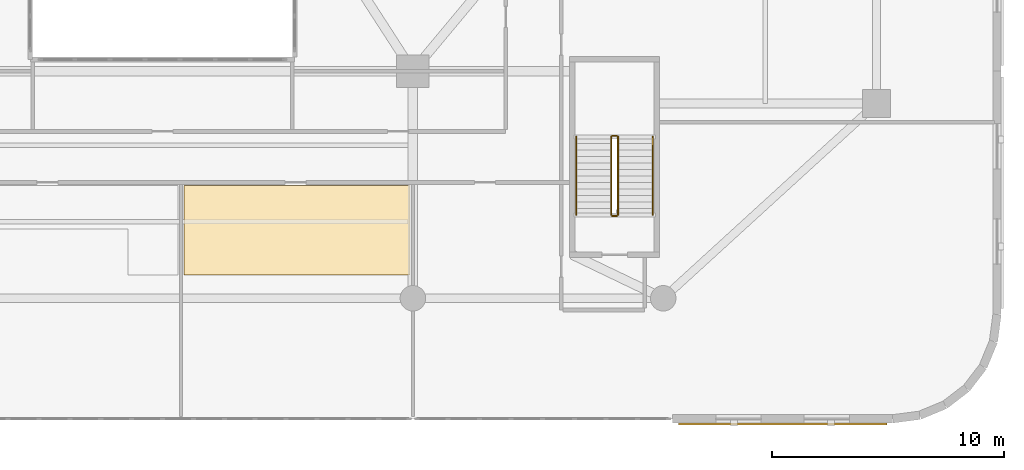
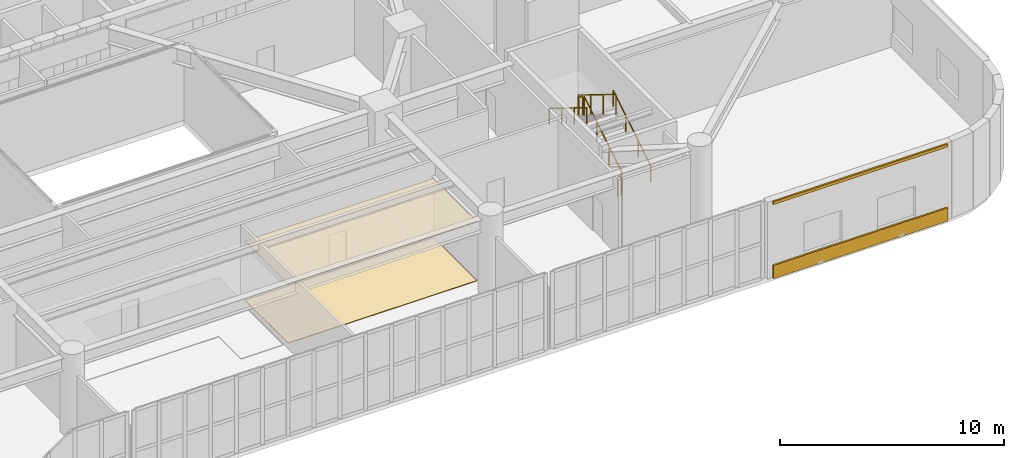
# One storey, part 21 of 25: 6 railings, 4 coverings.
"""IFC4 building model written with IfcOpenShell, lengths in metres."""

from ifc_helpers import new_model, si_unit, direction, frame, origin, origin_2d, place, context, subcontext, project, spatial, polyline, rectangle, outline, extrude, material, layer, layer_set, type_object, element, save


model = new_model("IFC4")

# Units and contexts
model_context = context("Model", 3, precision=1e-05, world=origin(), true_north=direction((0.0, 1.0)))
body_context = subcontext(model_context, "Body", "Model", "MODEL_VIEW")
ifc_project = project(units=[si_unit("LENGTHUNIT", "METRE"), si_unit("AREAUNIT", "SQUARE_METRE"), si_unit("VOLUMEUNIT", "CUBIC_METRE"), si_unit("PLANEANGLEUNIT", "RADIAN"), si_unit("MASSUNIT", "GRAM", prefix="KILO")], contexts=[model_context])

# Site, building, storey
site_placement = place(None, origin())
site = spatial("IfcSite", under=ifc_project, at=site_placement, CompositionType="ELEMENT")
building_placement = place(site_placement, origin())
building = spatial("IfcBuilding", under=site, at=building_placement, Name="Haldorwick Loom Tower", CompositionType="ELEMENT")
storey_placement = place(building_placement, frame((0.0, 0.0, 10.5)))
storey = spatial("IfcBuildingStorey", under=building, at=storey_placement, Name="L02", CompositionType="ELEMENT", Elevation=10.5)

# Coverings
ifc_material_1 = material(Name="Corbelled Pressed Clay Face Brick Veneer", Category="masonry")
ifc_layer_1 = layer(ifc_material_1, 0.090087890625, Name="Corbelled Pressed Clay Face Brick Veneer", Category="masonry")
ifc_layer_set_1 = layer_set([ifc_layer_1], Name="Corbelled Pressed Clay Face Brick Veneer")
covering_type_1 = type_object("IfcCoveringType", Name="ARC-COV-BRICK090", PredefinedType="CLADDING", material=ifc_layer_set_1)
covering_1_placement = place(storey_placement, origin())
element("IfcCovering", 1, at=covering_1_placement, inside=storey, type_object=covering_type_1, Name="L02 Sill Face-Brick Spandrel 42", PredefinedType="CLADDING", context=body_context, shape_type="SweptSolid", body=[
    extrude(outline(polyline([(58.25, -0.27001953125), (67.25, -0.27001953125), (67.25, -0.179931640625), (58.25, -0.179931640625), (58.25, -0.27001953125)])), origin(), (0.0, 0.0, 1.0), 0.719970703125),
])
covering_2_placement = place(storey_placement, frame((0.0, 0.0, 4.0400390625)))
element("IfcCovering", 2, at=covering_2_placement, inside=storey, type_object=covering_type_1, Name="L02 Head Face-Brick Lintel Band 42", PredefinedType="CLADDING", context=body_context, shape_type="SweptSolid", body=[
    extrude(outline(polyline([(58.25, -0.27001953125), (67.25, -0.27001953125), (67.25, -0.179931640625), (58.25, -0.179931640625), (58.25, -0.27001953125)])), origin(), (0.0, 0.0, 1.0), 0.159912109375),
])
ifc_material_2 = material(Name="Mineral Fibre Acoustic Ceiling Tile")
ifc_layer_2 = layer(ifc_material_2, 0.0400390625, Name="Mineral Fibre Acoustic Ceiling Tile")
ifc_layer_set_2 = layer_set([ifc_layer_2], Name="Mineral Fibre Acoustic Ceiling Tile")
covering_type_2 = type_object("IfcCoveringType", Name="ARC-COV-CEIL", PredefinedType="CEILING", material=ifc_layer_set_2)
covering_3_placement = place(storey_placement, frame((0.0, 0.0, 3.22509765625)))
element("IfcCovering", 3, at=covering_3_placement, inside=storey, type_object=covering_type_2, Name="L02 Acoustic Suspended Ceiling 2", PredefinedType="CEILING", context=body_context, shape_type="SweptSolid", body=[
    extrude(outline(polyline([(36.929931640625, 6.199951171875), (46.669921875, 6.199951171875), (46.669921875, 10.06005859375), (36.929931640625, 10.06005859375), (36.929931640625, 6.199951171875)])), origin(), (0.0, 0.0, 1.0), 0.039794921875),
])
ifc_material_3 = material(Name="Polished Aggregate Terrazzo Finish")
ifc_layer_3 = layer(ifc_material_3, 0.030029296875, Name="Polished Aggregate Terrazzo Finish")
ifc_layer_set_3 = layer_set([ifc_layer_3], Name="Polished Aggregate Terrazzo Finish")
covering_type_3 = type_object("IfcCoveringType", Name="ARC-COV-FLOOR", PredefinedType="FLOORING", material=ifc_layer_set_3)
covering_4_placement = place(storey_placement, origin())
element("IfcCovering", 4, at=covering_4_placement, inside=storey, type_object=covering_type_3, Name="L02 Floor Finish 2", PredefinedType="FLOORING", context=body_context, shape_type="SweptSolid", body=[
    extrude(outline(polyline([(36.929931640625, 6.199951171875), (46.669921875, 6.199951171875), (46.669921875, 10.06005859375), (36.929931640625, 10.06005859375), (36.929931640625, 6.199951171875)])), origin(), (0.0, 0.0, 1.0), 0.030029296875),
])

# Railings
ifc_material_4 = material(Name="Steel CSA G40.21 350W", Category="steel")
railing_type_1 = type_object("IfcRailingType", Name="ARC-RLG-GUARD112", PredefinedType="GUARDRAIL", material=ifc_material_4)
railing_1_placement = place(storey_placement, frame((55.64990234375, 8.800048828125, 0.173095703125)))
element("IfcRailing", 5, at=railing_1_placement, inside=storey, type_object=railing_type_1, Name="L02 ST-P2 stair guard 1", PredefinedType="GUARDRAIL", context=body_context, shape_type="SweptSolid", body=[
    extrude(rectangle(XDim=0.048095703125, YDim=0.048095703125, at=origin_2d()), frame((0.0, 0.0, 1.076171875), z_axis=(0.0, 0.850606129759, 0.525803396734), x_axis=(-1.0, 0.0, 0.0)), (0.0, 0.0, 1.0), 3.949951171875),
    extrude(rectangle(XDim=0.0419921875, YDim=0.0419921875, at=origin_2d()), origin(), (0.0, 0.0, 1.0), 1.052001953125),
    extrude(rectangle(XDim=0.0419921875, YDim=0.0419921875, at=origin_2d()), frame((0.0, 1.119873046875, 0.6923828125)), (0.0, 0.0, 1.0), 1.052001953125),
    extrude(rectangle(XDim=0.0419921875, YDim=0.0419921875, at=origin_2d()), frame((0.0, 2.239990234375, 1.384521484375)), (0.0, 0.0, 1.0), 1.052001953125),
    extrude(rectangle(XDim=0.0419921875, YDim=0.0419921875, at=origin_2d()), frame((0.0, 3.35986328125, 2.076904296875)), (0.0, 0.0, 1.0), 1.052001953125),
])
railing_2_placement = place(storey_placement, frame((55.60009765625, 12.2099609375, 2.25)))
element("IfcRailing", 6, at=railing_2_placement, inside=storey, type_object=railing_type_1, Name="L02 ST-P2 stair guard 2", PredefinedType="GUARDRAIL", context=body_context, shape_type="SweptSolid", body=[
    extrude(rectangle(XDim=0.048095703125, YDim=0.048095703125, at=origin_2d()), frame((0.0, 0.0, 1.076171875), z_axis=(-1.0, 0.0, 0.0), x_axis=(0.0, -1.0, 0.0)), (0.0, 0.0, 1.0), 0.2001953125),
    extrude(rectangle(XDim=0.0419921875, YDim=0.0419921875, at=origin_2d()), origin(), (0.0, 0.0, 1.0), 1.052001953125),
    extrude(rectangle(XDim=0.0419921875, YDim=0.0419921875, at=origin_2d()), frame((-0.2001953125, 0.0, 0.0)), (0.0, 0.0, 1.0), 1.052001953125),
])
railing_3_placement = place(storey_placement, frame((55.35009765625, 12.159912109375, 2.423095703125)))
element("IfcRailing", 7, at=railing_3_placement, inside=storey, type_object=railing_type_1, Name="L02 ST-P2 stair guard 3", PredefinedType="GUARDRAIL", context=body_context, shape_type="SweptSolid", body=[
    extrude(rectangle(XDim=0.048095703125, YDim=0.048095703125, at=origin_2d()), frame((0.0, 0.0, 1.076171875), z_axis=(0.0, -0.850606129759, 0.525803396734), x_axis=(1.0, 0.0, 0.0)), (0.0, 0.0, 1.0), 3.949951171875),
    extrude(rectangle(XDim=0.0419921875, YDim=0.0419921875, at=origin_2d()), origin(), (0.0, 0.0, 1.0), 1.052001953125),
    extrude(rectangle(XDim=0.0419921875, YDim=0.0419921875, at=origin_2d()), frame((0.0, -1.119873046875, 0.6923828125)), (0.0, 0.0, 1.0), 1.052001953125),
    extrude(rectangle(XDim=0.0419921875, YDim=0.0419921875, at=origin_2d()), frame((0.0, -2.239990234375, 1.384521484375)), (0.0, 0.0, 1.0), 1.052001953125),
    extrude(rectangle(XDim=0.0419921875, YDim=0.0419921875, at=origin_2d()), frame((0.0, -3.35986328125, 2.076904296875)), (0.0, 0.0, 1.0), 1.052001953125),
])
railing_4_placement = place(storey_placement, frame((55.60009765625, 8.75, 0.0)))
element("IfcRailing", 8, at=railing_4_placement, inside=storey, type_object=railing_type_1, Name="L02 ST-P2 stair guard 4", PredefinedType="GUARDRAIL", context=body_context, shape_type="SweptSolid", body=[
    extrude(rectangle(XDim=0.048095703125, YDim=0.048095703125, at=origin_2d()), frame((0.0, 0.0, 1.076171875), z_axis=(-1.0, 0.0, 0.0), x_axis=(0.0, -1.0, 0.0)), (0.0, 0.0, 1.0), 0.2001953125),
    extrude(rectangle(XDim=0.0419921875, YDim=0.0419921875, at=origin_2d()), origin(), (0.0, 0.0, 1.0), 1.052001953125),
    extrude(rectangle(XDim=0.0419921875, YDim=0.0419921875, at=origin_2d()), frame((-0.2001953125, 0.0, 0.0)), (0.0, 0.0, 1.0), 1.052001953125),
])
railing_type_2 = type_object("IfcRailingType", Name="ARC-RLG-HAND092", PredefinedType="HANDRAIL", material=ifc_material_4)
railing_5_placement = place(storey_placement, frame((57.14990234375, 8.800048828125, 0.173095703125)))
element("IfcRailing", 9, at=railing_5_placement, inside=storey, type_object=railing_type_2, Name="L02 ST-P2 stair handrail 1", PredefinedType="HANDRAIL", context=body_context, shape_type="SweptSolid", body=[
    extrude(rectangle(XDim=0.048095703125, YDim=0.048095703125, at=origin_2d()), frame((0.0, 0.0, 0.8759765625), z_axis=(0.0, 0.850606129759, 0.525803396734), x_axis=(-1.0, 0.0, 0.0)), (0.0, 0.0, 1.0), 3.949951171875),
    extrude(rectangle(XDim=0.0419921875, YDim=0.0419921875, at=origin_2d()), origin(), (0.0, 0.0, 1.0), 0.851806640625),
    extrude(rectangle(XDim=0.0419921875, YDim=0.0419921875, at=origin_2d()), frame((0.0, 1.119873046875, 0.6923828125)), (0.0, 0.0, 1.0), 0.851806640625),
    extrude(rectangle(XDim=0.0419921875, YDim=0.0419921875, at=origin_2d()), frame((0.0, 2.239990234375, 1.384521484375)), (0.0, 0.0, 1.0), 0.851806640625),
    extrude(rectangle(XDim=0.0419921875, YDim=0.0419921875, at=origin_2d()), frame((0.0, 3.35986328125, 2.076904296875)), (0.0, 0.0, 1.0), 0.851806640625),
])
railing_6_placement = place(storey_placement, frame((53.85009765625, 12.159912109375, 2.423095703125)))
element("IfcRailing", 10, at=railing_6_placement, inside=storey, type_object=railing_type_2, Name="L02 ST-P2 stair handrail 2", PredefinedType="HANDRAIL", context=body_context, shape_type="SweptSolid", body=[
    extrude(rectangle(XDim=0.048095703125, YDim=0.048095703125, at=origin_2d()), frame((0.0, 0.0, 0.8759765625), z_axis=(0.0, -0.850606129759, 0.525803396734), x_axis=(1.0, 0.0, 0.0)), (0.0, 0.0, 1.0), 3.949951171875),
    extrude(rectangle(XDim=0.0419921875, YDim=0.0419921875, at=origin_2d()), origin(), (0.0, 0.0, 1.0), 0.851806640625),
    extrude(rectangle(XDim=0.0419921875, YDim=0.0419921875, at=origin_2d()), frame((0.0, -1.119873046875, 0.6923828125)), (0.0, 0.0, 1.0), 0.851806640625),
    extrude(rectangle(XDim=0.0419921875, YDim=0.0419921875, at=origin_2d()), frame((0.0, -2.239990234375, 1.384521484375)), (0.0, 0.0, 1.0), 0.851806640625),
    extrude(rectangle(XDim=0.0419921875, YDim=0.0419921875, at=origin_2d()), frame((0.0, -3.35986328125, 2.076904296875)), (0.0, 0.0, 1.0), 0.851806640625),
])

save(model, "model.ifc")
